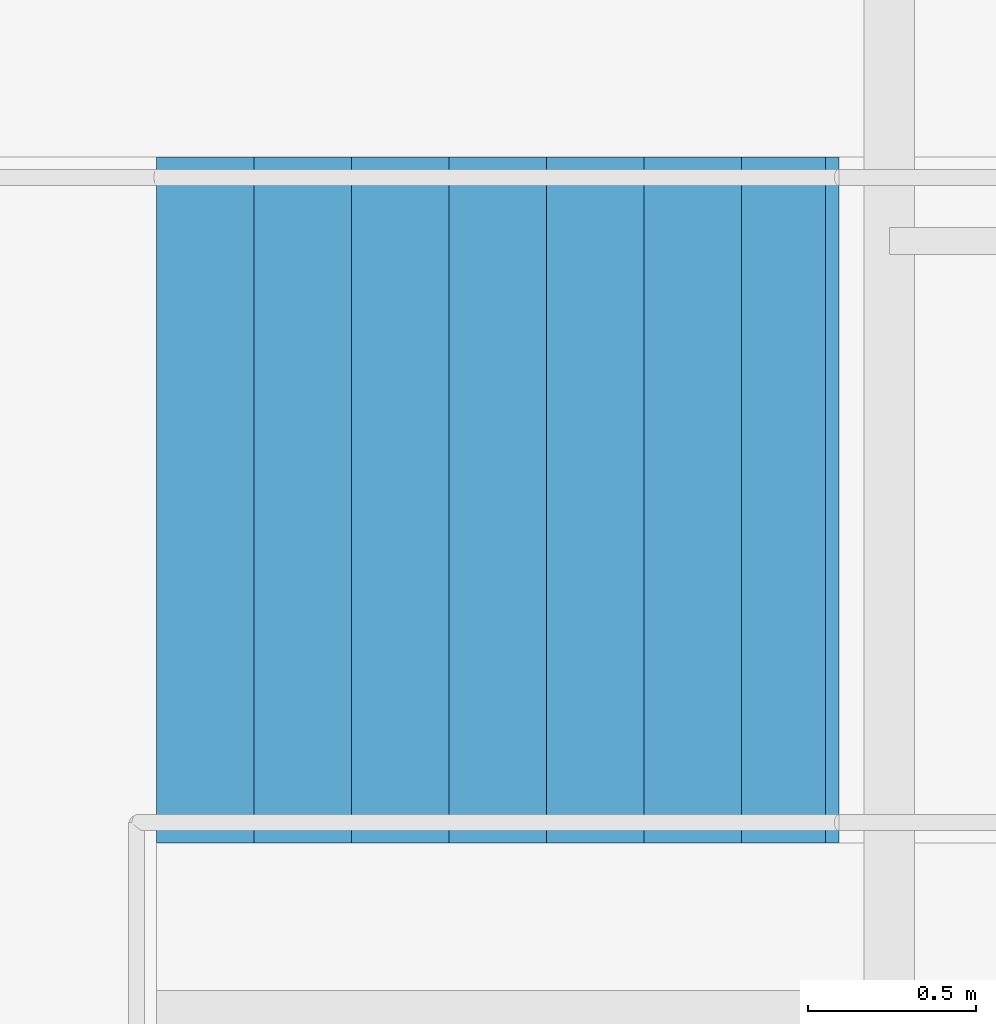
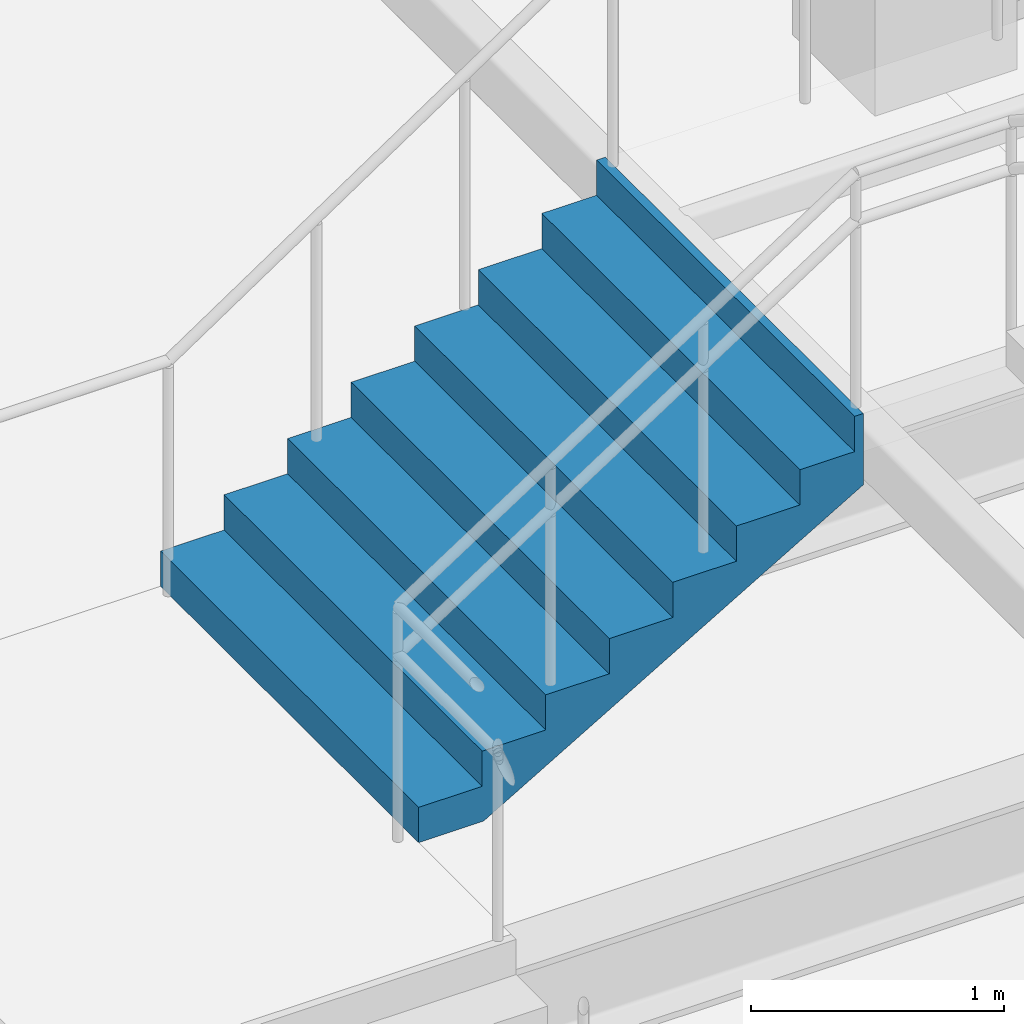
# One storey, part 64 of 70: 1 stair flight, 1 element without a shape of its own.
"""IFC4 building model written with IfcOpenShell, lengths in metres."""

from ifc_helpers import new_model, si_unit, direction, frame, origin, place, context, subcontext, project, spatial, triangles, material, type_object, element, aggregate, save


model = new_model("IFC4")

# Units and contexts
model_context = context("Model", 3, precision=1e-05, world=origin(), true_north=direction((0.0, 1.0)))
body_context = subcontext(model_context, "Body", "Model", "MODEL_VIEW")
ifc_project = project(units=[si_unit("LENGTHUNIT", "METRE"), si_unit("AREAUNIT", "SQUARE_METRE"), si_unit("VOLUMEUNIT", "CUBIC_METRE"), si_unit("PLANEANGLEUNIT", "RADIAN"), si_unit("MASSUNIT", "GRAM", prefix="KILO")], contexts=[model_context])

# Site, building, storey
site_placement = place(None, origin())
site = spatial("IfcSite", under=ifc_project, at=site_placement, CompositionType="ELEMENT")
building_placement = place(site_placement, origin())
building = spatial("IfcBuilding", under=site, at=building_placement, Name="Sillaruma Civic Art Gallery", CompositionType="ELEMENT")
storey_placement = place(building_placement, frame((0.0, 0.0, 66.300048828125)))
storey = spatial("IfcBuildingStorey", under=building, at=storey_placement, Name="L13", CompositionType="ELEMENT", Elevation=66.300048828125)

# Stair, stair flight
ifc_material = material(Name="Concrete H35 (35 MPa)", Category="concrete")
stair_type = type_object("IfcStairType", Name="STR-3F-24", PredefinedType="TWO_QUARTER_TURN_STAIR", material=ifc_material)
stair_placement = place(storey_placement, origin())
stair = element("IfcStair", 1, at=stair_placement, inside=storey, type_object=stair_type, Name="Monumental Gallery Feature Stair ST-G08 (L13)", PredefinedType="TWO_QUARTER_TURN_STAIR")
stair_flight_type = type_object("IfcStairFlightType", Name="SFL-STR-8", PredefinedType="STRAIGHT", material=ifc_material)
stair_flight_placement = place(storey_placement, frame((86.639892578125, 74.780029296875, 1.35986328125), z_axis=(0.0, 0.0, 1.0), x_axis=(1.0, 0.0, 0.0)))
stair_flight = element("IfcStairFlight", 2, at=stair_flight_placement, type_object=stair_flight_type, Name="ST-G08 flight 2", NumberOfRisers=8, NumberOfTreads=7, PredefinedType="STRAIGHT", RiserHeight=0.17, TreadLength=0.29, context=body_context, shape_type="Tessellation", body=[
    triangles([(0.0, -1.02001953125, 0.0), (0.29, -1.02001953125, 0.0), (0.296443, -1.02001953125, 0.0), (0.58, -1.02001953125, 0.166223), (0.87, -1.02001953125, 0.336223), (1.16, -1.02001953125, 0.506223), (1.45, -1.02001953125, 0.676223), (1.74, -1.02001953125, 0.846223), (1.990029, -1.02001953125, 0.992792), (2.030029, -1.02001953125, 1.01624), (2.030029, -1.02001953125, 1.36), (1.990029, -1.02001953125, 1.36), (1.990029, -1.02001953125, 1.19), (1.74, -1.02001953125, 1.19), (1.74, -1.02001953125, 1.02), (1.45, -1.02001953125, 1.02), (1.45, -1.02001953125, 0.85), (1.16, -1.02001953125, 0.85), (1.16, -1.02001953125, 0.68), (0.87, -1.02001953125, 0.68), (0.87, -1.02001953125, 0.51), (0.58, -1.02001953125, 0.51), (0.58, -1.02001953125, 0.34), (0.296443, -1.02001953125, 0.34), (0.29, -1.02001953125, 0.34), (0.29, -1.02001953125, 0.17), (0.0, -1.02001953125, 0.17), (0.0, -0.05, 0.0), (0.29, -0.05, 0.0), (0.296443, -0.05, 0.0), (0.58, -0.05, 0.166223), (0.87, -0.05, 0.336223), (1.16, -0.05, 0.506223), (1.45, -0.05, 0.676223), (1.74, -0.05, 0.846223), (1.990029, -0.05, 0.992792), (2.030029, -0.05, 1.01624), (2.030029, -0.05, 1.36), (1.990029, -0.05, 1.36), (1.990029, -0.05, 1.19), (1.74, -0.05, 1.19), (1.74, -0.05, 1.02), (1.45, -0.05, 1.02), (1.45, -0.05, 0.85), (1.16, -0.05, 0.85), (1.16, -0.05, 0.68), (0.87, -0.05, 0.68), (0.87, -0.05, 0.51), (0.58, -0.05, 0.51), (0.58, -0.05, 0.34), (0.296443, -0.05, 0.34), (0.29, -0.05, 0.34), (0.29, -0.05, 0.17), (0.0, -0.05, 0.17), (0.0, -0.0375, 0.0), (0.29, -0.0375, 0.0), (0.296443, -0.0375, 0.0), (0.58, -0.0375, 0.166223), (0.87, -0.0375, 0.336223), (1.16, -0.0375, 0.506223), (1.45, -0.0375, 0.676223), (1.74, -0.0375, 0.846223), (1.990029, -0.0375, 0.992792), (2.030029, -0.0375, 1.01624), (2.030029, -0.0375, 1.36), (1.990029, -0.0375, 1.36), (1.990029, -0.0375, 1.19), (1.74, -0.0375, 1.19), (1.74, -0.0375, 1.02), (1.45, -0.0375, 1.02), (1.45, -0.0375, 0.85), (1.16, -0.0375, 0.85), (1.16, -0.0375, 0.68), (0.87, -0.0375, 0.68), (0.87, -0.0375, 0.51), (0.58, -0.0375, 0.51), (0.58, -0.0375, 0.34), (0.296443, -0.0375, 0.34), (0.29, -0.0375, 0.34), (0.29, -0.0375, 0.17), (0.0, -0.0375, 0.17), (0.0, -0.025, 0.0), (0.29, -0.025, 0.0), (0.296443, -0.025, 0.0), (0.58, -0.025, 0.166223), (0.87, -0.025, 0.336223), (1.16, -0.025, 0.506223), (1.45, -0.025, 0.676223), (1.74, -0.025, 0.846223), (1.990029, -0.025, 0.992792), (2.030029, -0.025, 1.01624), (2.030029, -0.025, 1.36), (1.990029, -0.025, 1.36), (1.990029, -0.025, 1.19), (1.74, -0.025, 1.19), (1.74, -0.025, 1.02), (1.45, -0.025, 1.02), (1.45, -0.025, 0.85), (1.16, -0.025, 0.85), (1.16, -0.025, 0.68), (0.87, -0.025, 0.68), (0.87, -0.025, 0.51), (0.58, -0.025, 0.51), (0.58, -0.025, 0.34), (0.296443, -0.025, 0.34), (0.29, -0.025, 0.34), (0.29, -0.025, 0.17), (0.0, -0.025, 0.17), (0.0, -0.0125, 0.0), (0.29, -0.0125, 0.0), (0.296443, -0.0125, 0.0), (0.58, -0.0125, 0.166223), (0.87, -0.0125, 0.336223), (1.16, -0.0125, 0.506223), (1.45, -0.0125, 0.676223), (1.74, -0.0125, 0.846223), (1.990029, -0.0125, 0.992792), (2.030029, -0.0125, 1.01624), (2.030029, -0.0125, 1.36), (1.990029, -0.0125, 1.36), (1.990029, -0.0125, 1.19), (1.74, -0.0125, 1.19), (1.74, -0.0125, 1.02), (1.45, -0.0125, 1.02), (1.45, -0.0125, 0.85), (1.16, -0.0125, 0.85), (1.16, -0.0125, 0.68), (0.87, -0.0125, 0.68), (0.87, -0.0125, 0.51), (0.58, -0.0125, 0.51), (0.58, -0.0125, 0.34), (0.296443, -0.0125, 0.34), (0.29, -0.0125, 0.34), (0.29, -0.0125, 0.17), (0.0, -0.0125, 0.17), (0.0, 0.0, 0.0), (0.29, 0.0, 0.0), (0.296443, 0.0, 0.0), (0.58, 0.0, 0.166223), (0.87, 0.0, 0.336223), (1.16, 0.0, 0.506223), (1.45, 0.0, 0.676223), (1.74, 0.0, 0.846223), (1.990029, 0.0, 0.992792), (2.030029, 0.0, 1.01624), (2.030029, 0.0, 1.36), (1.990029, 0.0, 1.36), (1.990029, 0.0, 1.19), (1.74, 0.0, 1.19), (1.74, 0.0, 1.02), (1.45, 0.0, 1.02), (1.45, 0.0, 0.85), (1.16, 0.0, 0.85), (1.16, 0.0, 0.68), (0.87, 0.0, 0.68), (0.87, 0.0, 0.51), (0.58, 0.0, 0.51), (0.58, 0.0, 0.34), (0.296443, 0.0, 0.34), (0.29, 0.0, 0.34), (0.29, 0.0, 0.17), (0.0, 0.0, 0.17), (0.0, 0.0125, 0.0), (0.29, 0.0125, 0.0), (0.296443, 0.0125, 0.0), (0.58, 0.0125, 0.166223), (0.87, 0.0125, 0.336223), (1.16, 0.0125, 0.506223), (1.45, 0.0125, 0.676223), (1.74, 0.0125, 0.846223), (1.990029, 0.0125, 0.992792), (2.030029, 0.0125, 1.01624), (2.030029, 0.0125, 1.36), (1.990029, 0.0125, 1.36), (1.990029, 0.0125, 1.19), (1.74, 0.0125, 1.19), (1.74, 0.0125, 1.02), (1.45, 0.0125, 1.02), (1.45, 0.0125, 0.85), (1.16, 0.0125, 0.85), (1.16, 0.0125, 0.68), (0.87, 0.0125, 0.68), (0.87, 0.0125, 0.51), (0.58, 0.0125, 0.51), (0.58, 0.0125, 0.34), (0.296443, 0.0125, 0.34), (0.29, 0.0125, 0.34), (0.29, 0.0125, 0.17), (0.0, 0.0125, 0.17), (0.0, 0.025, 0.0), (0.29, 0.025, 0.0), (0.296443, 0.025, 0.0), (0.58, 0.025, 0.166223), (0.87, 0.025, 0.336223), (1.16, 0.025, 0.506223), (1.45, 0.025, 0.676223), (1.74, 0.025, 0.846223), (1.990029, 0.025, 0.992792), (2.030029, 0.025, 1.01624), (2.030029, 0.025, 1.36), (1.990029, 0.025, 1.36), (1.990029, 0.025, 1.19), (1.74, 0.025, 1.19), (1.74, 0.025, 1.02), (1.45, 0.025, 1.02), (1.45, 0.025, 0.85), (1.16, 0.025, 0.85), (1.16, 0.025, 0.68), (0.87, 0.025, 0.68), (0.87, 0.025, 0.51), (0.58, 0.025, 0.51), (0.58, 0.025, 0.34), (0.296443, 0.025, 0.34), (0.29, 0.025, 0.34), (0.29, 0.025, 0.17), (0.0, 0.025, 0.17), (0.0, 0.0375, 0.0), (0.29, 0.0375, 0.0), (0.296443, 0.0375, 0.0), (0.58, 0.0375, 0.166223), (0.87, 0.0375, 0.336223), (1.16, 0.0375, 0.506223), (1.45, 0.0375, 0.676223), (1.74, 0.0375, 0.846223), (1.990029, 0.0375, 0.992792), (2.030029, 0.0375, 1.01624), (2.030029, 0.0375, 1.36), (1.990029, 0.0375, 1.36), (1.990029, 0.0375, 1.19), (1.74, 0.0375, 1.19), (1.74, 0.0375, 1.02), (1.45, 0.0375, 1.02), (1.45, 0.0375, 0.85), (1.16, 0.0375, 0.85), (1.16, 0.0375, 0.68), (0.87, 0.0375, 0.68), (0.87, 0.0375, 0.51), (0.58, 0.0375, 0.51), (0.58, 0.0375, 0.34), (0.296443, 0.0375, 0.34), (0.29, 0.0375, 0.34), (0.29, 0.0375, 0.17), (0.0, 0.0375, 0.17), (0.0, 0.05, 0.0), (0.29, 0.05, 0.0), (0.296443, 0.05, 0.0), (0.58, 0.05, 0.166223), (0.87, 0.05, 0.336223), (1.16, 0.05, 0.506223), (1.45, 0.05, 0.676223), (1.74, 0.05, 0.846223), (1.990029, 0.05, 0.992792), (2.030029, 0.05, 1.01624), (2.030029, 0.05, 1.36), (1.990029, 0.05, 1.36), (1.990029, 0.05, 1.19), (1.74, 0.05, 1.19), (1.74, 0.05, 1.02), (1.45, 0.05, 1.02), (1.45, 0.05, 0.85), (1.16, 0.05, 0.85), (1.16, 0.05, 0.68), (0.87, 0.05, 0.68), (0.87, 0.05, 0.51), (0.58, 0.05, 0.51), (0.58, 0.05, 0.34), (0.296443, 0.05, 0.34), (0.29, 0.05, 0.34), (0.29, 0.05, 0.17), (0.0, 0.05, 0.17), (0.0, 1.02001953125, 0.0), (0.29, 1.02001953125, 0.0), (0.296443, 1.02001953125, 0.0), (0.58, 1.02001953125, 0.166223), (0.87, 1.02001953125, 0.336223), (1.16, 1.02001953125, 0.506223), (1.45, 1.02001953125, 0.676223), (1.74, 1.02001953125, 0.846223), (1.990029, 1.02001953125, 0.992792), (2.030029, 1.02001953125, 1.01624), (2.030029, 1.02001953125, 1.36), (1.990029, 1.02001953125, 1.36), (1.990029, 1.02001953125, 1.19), (1.74, 1.02001953125, 1.19), (1.74, 1.02001953125, 1.02), (1.45, 1.02001953125, 1.02), (1.45, 1.02001953125, 0.85), (1.16, 1.02001953125, 0.85), (1.16, 1.02001953125, 0.68), (0.87, 1.02001953125, 0.68), (0.87, 1.02001953125, 0.51), (0.58, 1.02001953125, 0.51), (0.58, 1.02001953125, 0.34), (0.296443, 1.02001953125, 0.34), (0.29, 1.02001953125, 0.34), (0.29, 1.02001953125, 0.17), (0.0, 1.02001953125, 0.17)], [[1, 2, 26], [1, 26, 27], [2, 3, 24], [2, 24, 26], [26, 24, 25], [3, 4, 23], [3, 23, 24], [4, 5, 21], [4, 21, 23], [23, 21, 22], [5, 6, 19], [5, 19, 21], [21, 19, 20], [6, 7, 17], [6, 17, 19], [19, 17, 18], [7, 8, 15], [7, 15, 17], [17, 15, 16], [8, 9, 13], [8, 13, 15], [15, 13, 14], [9, 10, 11], [9, 11, 13], [13, 11, 12], [296, 272, 271], [297, 296, 271], [294, 273, 272], [296, 294, 272], [295, 294, 296], [293, 274, 273], [294, 293, 273], [291, 275, 274], [293, 291, 274], [292, 291, 293], [289, 276, 275], [291, 289, 275], [290, 289, 291], [287, 277, 276], [289, 287, 276], [288, 287, 289], [285, 278, 277], [287, 285, 277], [286, 285, 287], [283, 279, 278], [285, 283, 278], [284, 283, 285], [281, 280, 279], [283, 281, 279], [282, 281, 283], [2, 1, 28], [2, 28, 29], [3, 2, 29], [3, 29, 30], [4, 3, 30], [4, 30, 31], [5, 4, 31], [5, 31, 32], [6, 5, 32], [6, 32, 33], [7, 6, 33], [7, 33, 34], [8, 7, 34], [8, 34, 35], [9, 8, 35], [9, 35, 36], [10, 9, 36], [10, 36, 37], [11, 10, 37], [11, 37, 38], [12, 11, 38], [12, 38, 39], [13, 12, 39], [13, 39, 40], [14, 13, 40], [14, 40, 41], [15, 14, 41], [15, 41, 42], [16, 15, 42], [16, 42, 43], [17, 16, 43], [17, 43, 44], [18, 17, 44], [18, 44, 45], [19, 18, 45], [19, 45, 46], [20, 19, 46], [20, 46, 47], [21, 20, 47], [21, 47, 48], [22, 21, 48], [22, 48, 49], [23, 22, 49], [23, 49, 50], [24, 23, 50], [24, 50, 51], [25, 24, 51], [25, 51, 52], [26, 25, 52], [26, 52, 53], [27, 26, 53], [27, 53, 54], [1, 27, 54], [1, 54, 28], [29, 28, 55], [29, 55, 56], [30, 29, 56], [30, 56, 57], [31, 30, 57], [31, 57, 58], [32, 31, 58], [32, 58, 59], [33, 32, 59], [33, 59, 60], [34, 33, 60], [34, 60, 61], [35, 34, 61], [35, 61, 62], [36, 35, 62], [36, 62, 63], [37, 36, 63], [37, 63, 64], [38, 37, 64], [38, 64, 65], [39, 38, 65], [39, 65, 66], [40, 39, 66], [40, 66, 67], [41, 40, 67], [41, 67, 68], [42, 41, 68], [42, 68, 69], [43, 42, 69], [43, 69, 70], [44, 43, 70], [44, 70, 71], [45, 44, 71], [45, 71, 72], [46, 45, 72], [46, 72, 73], [47, 46, 73], [47, 73, 74], [48, 47, 74], [48, 74, 75], [49, 48, 75], [49, 75, 76], [50, 49, 76], [50, 76, 77], [51, 50, 77], [51, 77, 78], [52, 51, 78], [52, 78, 79], [53, 52, 79], [53, 79, 80], [54, 53, 80], [54, 80, 81], [28, 54, 81], [28, 81, 55], [56, 55, 82], [56, 82, 83], [57, 56, 83], [57, 83, 84], [58, 57, 84], [58, 84, 85], [59, 58, 85], [59, 85, 86], [60, 59, 86], [60, 86, 87], [61, 60, 87], [61, 87, 88], [62, 61, 88], [62, 88, 89], [63, 62, 89], [63, 89, 90], [64, 63, 90], [64, 90, 91], [65, 64, 91], [65, 91, 92], [66, 65, 92], [66, 92, 93], [67, 66, 93], [67, 93, 94], [68, 67, 94], [68, 94, 95], [69, 68, 95], [69, 95, 96], [70, 69, 96], [70, 96, 97], [71, 70, 97], [71, 97, 98], [72, 71, 98], [72, 98, 99], [73, 72, 99], [73, 99, 100], [74, 73, 100], [74, 100, 101], [75, 74, 101], [75, 101, 102], [76, 75, 102], [76, 102, 103], [77, 76, 103], [77, 103, 104], [78, 77, 104], [78, 104, 105], [79, 78, 105], [79, 105, 106], [80, 79, 106], [80, 106, 107], [81, 80, 107], [81, 107, 108], [55, 81, 108], [55, 108, 82], [83, 82, 109], [83, 109, 110], [84, 83, 110], [84, 110, 111], [85, 84, 111], [85, 111, 112], [86, 85, 112], [86, 112, 113], [87, 86, 113], [87, 113, 114], [88, 87, 114], [88, 114, 115], [89, 88, 115], [89, 115, 116], [90, 89, 116], [90, 116, 117], [91, 90, 117], [91, 117, 118], [92, 91, 118], [92, 118, 119], [93, 92, 119], [93, 119, 120], [94, 93, 120], [94, 120, 121], [95, 94, 121], [95, 121, 122], [96, 95, 122], [96, 122, 123], [97, 96, 123], [97, 123, 124], [98, 97, 124], [98, 124, 125], [99, 98, 125], [99, 125, 126], [100, 99, 126], [100, 126, 127], [101, 100, 127], [101, 127, 128], [102, 101, 128], [102, 128, 129], [103, 102, 129], [103, 129, 130], [104, 103, 130], [104, 130, 131], [105, 104, 131], [105, 131, 132], [106, 105, 132], [106, 132, 133], [107, 106, 133], [107, 133, 134], [108, 107, 134], [108, 134, 135], [82, 108, 135], [82, 135, 109], [110, 109, 136], [110, 136, 137], [111, 110, 137], [111, 137, 138], [112, 111, 138], [112, 138, 139], [113, 112, 139], [113, 139, 140], [114, 113, 140], [114, 140, 141], [115, 114, 141], [115, 141, 142], [116, 115, 142], [116, 142, 143], [117, 116, 143], [117, 143, 144], [118, 117, 144], [118, 144, 145], [119, 118, 145], [119, 145, 146], [120, 119, 146], [120, 146, 147], [121, 120, 147], [121, 147, 148], [122, 121, 148], [122, 148, 149], [123, 122, 149], [123, 149, 150], [124, 123, 150], [124, 150, 151], [125, 124, 151], [125, 151, 152], [126, 125, 152], [126, 152, 153], [127, 126, 153], [127, 153, 154], [128, 127, 154], [128, 154, 155], [129, 128, 155], [129, 155, 156], [130, 129, 156], [130, 156, 157], [131, 130, 157], [131, 157, 158], [132, 131, 158], [132, 158, 159], [133, 132, 159], [133, 159, 160], [134, 133, 160], [134, 160, 161], [135, 134, 161], [135, 161, 162], [109, 135, 162], [109, 162, 136], [137, 136, 163], [137, 163, 164], [138, 137, 164], [138, 164, 165], [139, 138, 165], [139, 165, 166], [140, 139, 166], [140, 166, 167], [141, 140, 167], [141, 167, 168], [142, 141, 168], [142, 168, 169], [143, 142, 169], [143, 169, 170], [144, 143, 170], [144, 170, 171], [145, 144, 171], [145, 171, 172], [146, 145, 172], [146, 172, 173], [147, 146, 173], [147, 173, 174], [148, 147, 174], [148, 174, 175], [149, 148, 175], [149, 175, 176], [150, 149, 176], [150, 176, 177], [151, 150, 177], [151, 177, 178], [152, 151, 178], [152, 178, 179], [153, 152, 179], [153, 179, 180], [154, 153, 180], [154, 180, 181], [155, 154, 181], [155, 181, 182], [156, 155, 182], [156, 182, 183], [157, 156, 183], [157, 183, 184], [158, 157, 184], [158, 184, 185], [159, 158, 185], [159, 185, 186], [160, 159, 186], [160, 186, 187], [161, 160, 187], [161, 187, 188], [162, 161, 188], [162, 188, 189], [136, 162, 189], [136, 189, 163], [164, 163, 190], [164, 190, 191], [165, 164, 191], [165, 191, 192], [166, 165, 192], [166, 192, 193], [167, 166, 193], [167, 193, 194], [168, 167, 194], [168, 194, 195], [169, 168, 195], [169, 195, 196], [170, 169, 196], [170, 196, 197], [171, 170, 197], [171, 197, 198], [172, 171, 198], [172, 198, 199], [173, 172, 199], [173, 199, 200], [174, 173, 200], [174, 200, 201], [175, 174, 201], [175, 201, 202], [176, 175, 202], [176, 202, 203], [177, 176, 203], [177, 203, 204], [178, 177, 204], [178, 204, 205], [179, 178, 205], [179, 205, 206], [180, 179, 206], [180, 206, 207], [181, 180, 207], [181, 207, 208], [182, 181, 208], [182, 208, 209], [183, 182, 209], [183, 209, 210], [184, 183, 210], [184, 210, 211], [185, 184, 211], [185, 211, 212], [186, 185, 212], [186, 212, 213], [187, 186, 213], [187, 213, 214], [188, 187, 214], [188, 214, 215], [189, 188, 215], [189, 215, 216], [163, 189, 216], [163, 216, 190], [191, 190, 217], [191, 217, 218], [192, 191, 218], [192, 218, 219], [193, 192, 219], [193, 219, 220], [194, 193, 220], [194, 220, 221], [195, 194, 221], [195, 221, 222], [196, 195, 222], [196, 222, 223], [197, 196, 223], [197, 223, 224], [198, 197, 224], [198, 224, 225], [199, 198, 225], [199, 225, 226], [200, 199, 226], [200, 226, 227], [201, 200, 227], [201, 227, 228], [202, 201, 228], [202, 228, 229], [203, 202, 229], [203, 229, 230], [204, 203, 230], [204, 230, 231], [205, 204, 231], [205, 231, 232], [206, 205, 232], [206, 232, 233], [207, 206, 233], [207, 233, 234], [208, 207, 234], [208, 234, 235], [209, 208, 235], [209, 235, 236], [210, 209, 236], [210, 236, 237], [211, 210, 237], [211, 237, 238], [212, 211, 238], [212, 238, 239], [213, 212, 239], [213, 239, 240], [214, 213, 240], [214, 240, 241], [215, 214, 241], [215, 241, 242], [216, 215, 242], [216, 242, 243], [190, 216, 243], [190, 243, 217], [218, 217, 244], [218, 244, 245], [219, 218, 245], [219, 245, 246], [220, 219, 246], [220, 246, 247], [221, 220, 247], [221, 247, 248], [222, 221, 248], [222, 248, 249], [223, 222, 249], [223, 249, 250], [224, 223, 250], [224, 250, 251], [225, 224, 251], [225, 251, 252], [226, 225, 252], [226, 252, 253], [227, 226, 253], [227, 253, 254], [228, 227, 254], [228, 254, 255], [229, 228, 255], [229, 255, 256], [230, 229, 256], [230, 256, 257], [231, 230, 257], [231, 257, 258], [232, 231, 258], [232, 258, 259], [233, 232, 259], [233, 259, 260], [234, 233, 260], [234, 260, 261], [235, 234, 261], [235, 261, 262], [236, 235, 262], [236, 262, 263], [237, 236, 263], [237, 263, 264], [238, 237, 264], [238, 264, 265], [239, 238, 265], [239, 265, 266], [240, 239, 266], [240, 266, 267], [241, 240, 267], [241, 267, 268], [242, 241, 268], [242, 268, 269], [243, 242, 269], [243, 269, 270], [217, 243, 270], [217, 270, 244], [245, 244, 271], [245, 271, 272], [246, 245, 272], [246, 272, 273], [247, 246, 273], [247, 273, 274], [248, 247, 274], [248, 274, 275], [249, 248, 275], [249, 275, 276], [250, 249, 276], [250, 276, 277], [251, 250, 277], [251, 277, 278], [252, 251, 278], [252, 278, 279], [253, 252, 279], [253, 279, 280], [254, 253, 280], [254, 280, 281], [255, 254, 281], [255, 281, 282], [256, 255, 282], [256, 282, 283], [257, 256, 283], [257, 283, 284], [258, 257, 284], [258, 284, 285], [259, 258, 285], [259, 285, 286], [260, 259, 286], [260, 286, 287], [261, 260, 287], [261, 287, 288], [262, 261, 288], [262, 288, 289], [263, 262, 289], [263, 289, 290], [264, 263, 290], [264, 290, 291], [265, 264, 291], [265, 291, 292], [266, 265, 292], [266, 292, 293], [267, 266, 293], [267, 293, 294], [268, 267, 294], [268, 294, 295], [269, 268, 295], [269, 295, 296], [270, 269, 296], [270, 296, 297], [244, 270, 297], [244, 297, 271]], closed=True),
])
aggregate(stair, [stair_flight])

save(model, "model.ifc")
